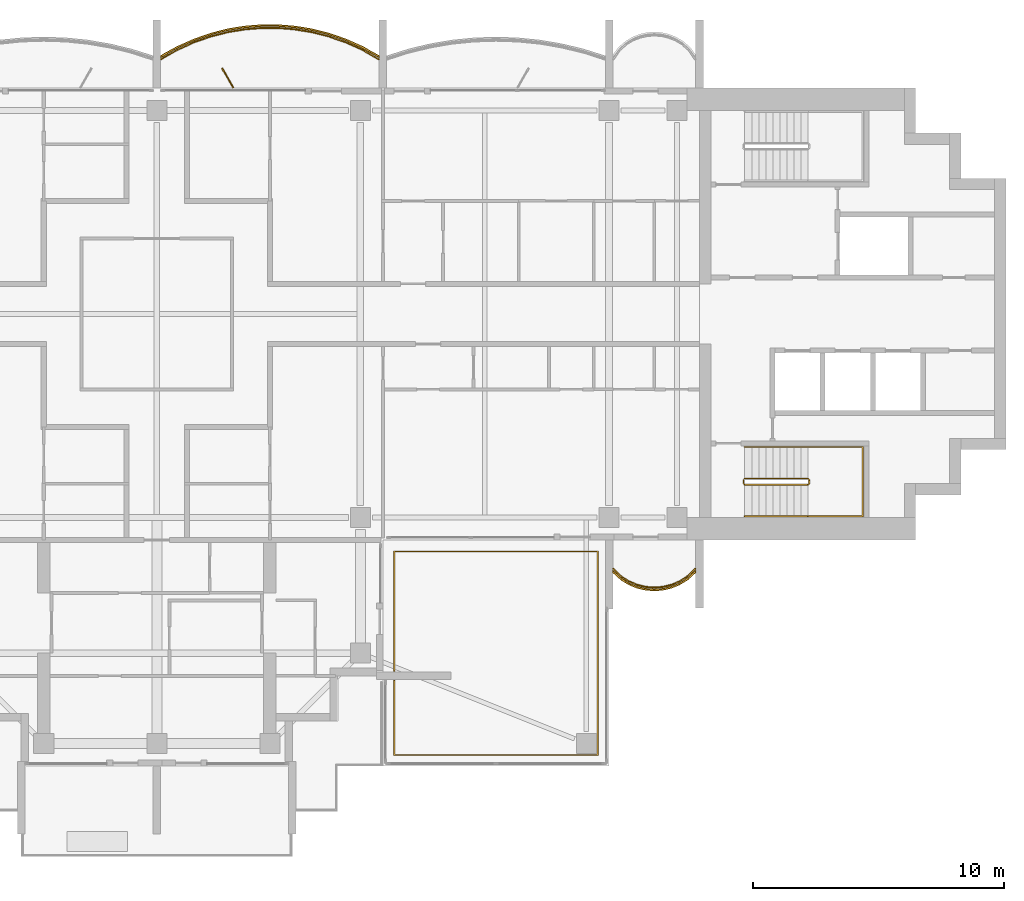
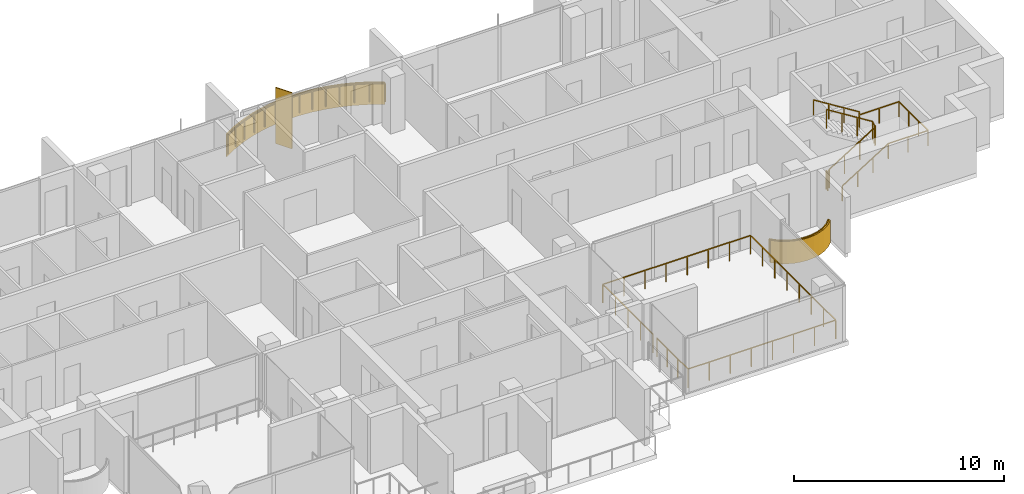
# One storey, part 15 of 16: 5 railings, 2 coverings, 1 shading device.
"""IFC4 building model written with IfcOpenShell, lengths in metres."""

import ifcopenshell
import ifcopenshell.guid

model = None  # the IFC model being written
_history = None  # IfcOwnerHistory: only IFC2X3 demands one
_inside = {}  # id of a spatial element -> (the spatial element, [elements in it])
_under = {}  # id of a project, library or spatial element -> (it, [spatial elements below it])
_declared = {}  # id of a project -> (the project, [libraries it declares])
_typed = {}  # id of a type object -> (the type object, [elements of that type])
_made_of = {}  # id of a material, layer set ... -> (it, [elements and type objects made of it])


def new_model(schema):
    """Start an empty IFC model of exactly this schema.

    Asked for "IFC4X3", IfcOpenShell would pick the latest addendum, in which some entities
    have other attributes; the version numbers below select the first issue.
    IFC2X3 requires an IfcOwnerHistory on every rooted entity: one is made here for all.
    """
    global model, _history
    if schema == "IFC4X3":
        model = ifcopenshell.file(schema_version=(4, 3, 0, 0))
    else:
        model = ifcopenshell.file(schema=schema)
    _inside.clear()
    _under.clear()
    _declared.clear()
    _typed.clear()
    _made_of.clear()
    _history = None
    if model.schema == "IFC2X3":
        org = make("IfcOrganization", Name="unknown")
        user = make(
            "IfcPersonAndOrganization",
            ThePerson=make("IfcPerson", FamilyName="unknown"),
            TheOrganization=org,
        )
        app = make(
            "IfcApplication",
            ApplicationDeveloper=org,
            Version="unknown",
            ApplicationFullName="unknown",
            ApplicationIdentifier="unknown",
        )
        _history = make(
            "IfcOwnerHistory",
            OwningUser=user,
            OwningApplication=app,
            ChangeAction="ADDED",
            CreationDate=0,
        )
    return model


def make(cls, **values):
    """One entity of the class cls with the attributes given. An attribute that is None is left unset."""
    return model.create_entity(
        cls, **{name: value for name, value in values.items() if value is not None}
    )


def rooted(cls, **values):
    """An entity with a GlobalId (a new one), such as an element, a storey or a relation."""
    return make(cls, GlobalId=ifcopenshell.guid.new(), OwnerHistory=_history, **values)


def si_unit(unit_type, name, prefix=None):
    """IfcSIUnit, for example si_unit("LENGTHUNIT", "METRE", prefix="MILLI")."""
    return make("IfcSIUnit", UnitType=unit_type, Prefix=prefix, Name=name)


def assignment(units):
    """IfcUnitAssignment: the units of a project."""
    return None if units is None else make("IfcUnitAssignment", Units=units)


def point(xyz):
    """IfcCartesianPoint."""
    return None if xyz is None else make("IfcCartesianPoint", Coordinates=xyz)


def direction(xyz):
    """IfcDirection."""
    return None if xyz is None else make("IfcDirection", DirectionRatios=xyz)


def frame(location, z_axis=None, x_axis=None):
    """IfcAxis2Placement3D, a coordinate frame: its origin and axes. An axis left out is left unset."""
    return make(
        "IfcAxis2Placement3D",
        Location=point(location),
        Axis=direction(z_axis),
        RefDirection=direction(x_axis),
    )


def frame_2d(location, x_axis=None):
    """IfcAxis2Placement2D, a coordinate frame in the plane: its origin and x axis."""
    return make(
        "IfcAxis2Placement2D", Location=point(location), RefDirection=direction(x_axis)
    )


def origin():
    """The frame at (0, 0, 0) with its axes left unset."""
    return frame((0.0, 0.0, 0.0))


def origin_2d():
    """The frame at (0, 0) in the plane with its x axis left unset."""
    return frame_2d((0.0, 0.0))


def place(relative_to, where):
    """IfcLocalPlacement: puts the frame where relative to a parent placement (None: the world)."""
    return make(
        "IfcLocalPlacement", PlacementRelTo=relative_to, RelativePlacement=where
    )


def context(
    kind, dimensions, precision=None, world=None, true_north=None, identifier=None
):
    """IfcGeometricRepresentationContext, for example the 3D "Model" context."""
    return make(
        "IfcGeometricRepresentationContext",
        ContextIdentifier=identifier,
        ContextType=kind,
        CoordinateSpaceDimension=dimensions,
        Precision=precision,
        WorldCoordinateSystem=world,
        TrueNorth=true_north,
    )


def subcontext(parent, identifier, kind, view, scale=None):
    """IfcGeometricRepresentationSubContext, for example "Body" below "Model"."""
    return make(
        "IfcGeometricRepresentationSubContext",
        ContextIdentifier=identifier,
        ContextType=kind,
        ParentContext=parent,
        TargetScale=scale,
        TargetView=view,
    )


def project(units=None, contexts=None):
    """IfcProject with its units and contexts."""
    return rooted(
        "IfcProject",
        Name="project",
        RepresentationContexts=contexts,
        UnitsInContext=assignment(units),
    )


def spatial(cls, under=None, at=None, **own):
    """A site, building, storey or space (cls), placed at a placement, below another one or the project."""
    s = rooted(cls, ObjectPlacement=at, **own)
    if under is not None:
        _under.setdefault(under.id(), (under, []))[1].append(s)
    return s


def polyline(points):
    """IfcPolyline through the points."""
    return make("IfcPolyline", Points=[point(p) for p in points])


def profile(cls, at=None, kind="AREA", **sizes):
    """A parametric profile (cls). Its sizes go by their IFC names, for example OverallWidth=200.0."""
    return make(cls, ProfileType=kind, Position=at, **sizes)


def rectangle(**sizes):
    """IfcRectangleProfileDef."""
    return profile("IfcRectangleProfileDef", **sizes)


def outline(outer, holes=None, kind="AREA"):
    """IfcArbitraryClosedProfileDef: a profile drawn as a closed curve; with holes, ...WithVoids."""
    if holes is None:
        return make("IfcArbitraryClosedProfileDef", ProfileType=kind, OuterCurve=outer)
    return make(
        "IfcArbitraryProfileDefWithVoids",
        ProfileType=kind,
        OuterCurve=outer,
        InnerCurves=holes,
    )


def extrude(swept, where, along, depth):
    """IfcExtrudedAreaSolid: the profile swept, set in the frame where, extruded along a direction by depth."""
    return make(
        "IfcExtrudedAreaSolid",
        SweptArea=swept,
        Position=where,
        ExtrudedDirection=direction(along),
        Depth=depth,
    )


def shape(context_of_items, identifier, shape_type, items):
    """IfcShapeRepresentation: the items that make up one representation, for example the "Body"."""
    return make(
        "IfcShapeRepresentation",
        ContextOfItems=context_of_items,
        RepresentationIdentifier=identifier,
        RepresentationType=shape_type,
        Items=items,
    )


def material(Name=None, Category=None):
    """IfcMaterial."""
    return make("IfcMaterial", Name=Name, Category=Category)


def layer(
    of_material, thickness, ventilated=None, Name=None, Category=None, Priority=None
):
    """IfcMaterialLayer: one layer of a wall or slab, of a material (None: an air gap)."""
    return make(
        "IfcMaterialLayer",
        Material=of_material,
        LayerThickness=thickness,
        IsVentilated=ventilated,
        Name=Name,
        Category=Category,
        Priority=Priority,
    )


def layer_set(layers, Name=None):
    """IfcMaterialLayerSet."""
    return make("IfcMaterialLayerSet", MaterialLayers=layers, LayerSetName=Name)


def made_of(thing, what):
    """Note that an element or type object is made of a material, layer set ...; save() writes the relation."""
    if what is not None:
        _made_of.setdefault(what.id(), (what, []))[1].append(thing)
    return thing


def type_object(cls, material=None, **own):
    """A type object (cls), such as IfcWallType, which elements share."""
    return made_of(rooted(cls, **own), material)


def element(
    cls,
    number,
    at=None,
    inside=None,
    cuts=None,
    type_object=None,
    material=None,
    context=None,
    identifier="Body",
    shape_type=None,
    held_by="IfcProductDefinitionShape",
    body=None,
    shapes=None,
    **own,
):
    """One element of the class cls, such as IfcWall. Its Tag is "e" and its number.

    at: its placement. inside: the storey or other place that contains it. cuts: it is an
    opening in that element (IfcRelVoidsElement). A single representation is given by context,
    identifier, shape_type and body (its items); several are given by shapes. held_by: the class
    of the entity that holds the representations. save() writes the other relations.
    """
    e = rooted(cls, Tag="e%d" % number, ObjectPlacement=at, **own)
    if body is not None:
        shapes = [shape(context, identifier, shape_type, body)]
    if shapes is not None:
        e.Representation = make(held_by, Representations=shapes)
    if inside is not None:
        _inside.setdefault(inside.id(), (inside, []))[1].append(e)
    if cuts is not None:
        rooted(
            "IfcRelVoidsElement", RelatingBuildingElement=cuts, RelatedOpeningElement=e
        )
    if type_object is not None:
        _typed.setdefault(type_object.id(), (type_object, []))[1].append(e)
    return made_of(e, material)


def aggregate(whole, parts):
    """IfcRelAggregates: a whole, such as a stair, and the parts it consists of."""
    return rooted("IfcRelAggregates", RelatingObject=whole, RelatedObjects=parts)


def save(model, path):
    """Write the relations noted so far, then the file.

    IfcRelAggregates (storeys below a building ...), IfcRelContainedInSpatialStructure (elements
    in a storey), IfcRelDefinesByType, IfcRelAssociatesMaterial and IfcRelDeclares: one each for
    every whole, place, type object, material and project.
    """
    for whole, parts in _under.values():
        aggregate(whole, parts)
    for where, things in _inside.values():
        rooted(
            "IfcRelContainedInSpatialStructure",
            RelatedElements=things,
            RelatingStructure=where,
        )
    for kind, things in _typed.values():
        rooted("IfcRelDefinesByType", RelatedObjects=things, RelatingType=kind)
    for what, things in _made_of.values():
        rooted("IfcRelAssociatesMaterial", RelatedObjects=things, RelatingMaterial=what)
    for by, libraries in _declared.values():
        rooted("IfcRelDeclares", RelatingContext=by, RelatedDefinitions=libraries)
    model.write(path)


model = new_model("IFC4")

# Units and contexts
model_context = context("Model", 3, precision=1e-05, world=origin(), true_north=direction((0.0, 1.0)))
body_context = subcontext(model_context, "Body", "Model", "MODEL_VIEW")
ifc_project = project(units=[si_unit("LENGTHUNIT", "METRE"), si_unit("AREAUNIT", "SQUARE_METRE"), si_unit("VOLUMEUNIT", "CUBIC_METRE"), si_unit("PLANEANGLEUNIT", "RADIAN"), si_unit("MASSUNIT", "GRAM", prefix="KILO")], contexts=[model_context])

# Site, building, storey
site_placement = place(None, origin())
site = spatial("IfcSite", under=ifc_project, at=site_placement, CompositionType="ELEMENT")
building_placement = place(site_placement, origin())
building = spatial("IfcBuilding", under=site, at=building_placement, Name="Perihelion Cross Residences", CompositionType="ELEMENT")
storey_placement = place(building_placement, frame((0.0, 0.0, 232.5)))
storey = spatial("IfcBuildingStorey", under=building, at=storey_placement, Name="L58", CompositionType="ELEMENT", Elevation=232.5)

# Coverings
ifc_material_1 = material(Name="Bronze anodised aluminium", Category="aluminium")
ifc_layer_1 = layer(ifc_material_1, 0.070068359375)
ifc_layer_set_1 = layer_set([ifc_layer_1], Name="Balcony fascia 1300")
covering_type = type_object("IfcCoveringType", Name="Balcony fascia 1300", PredefinedType="CLADDING", material=ifc_layer_set_1)
covering_1_placement = place(storey_placement, frame((0.0, 0.0, -0.199951171875)))
element("IfcCovering", 1, at=covering_1_placement, inside=storey, type_object=covering_type, Name="Fascia BF1 L58 north side east bay 1", PredefinedType="CLADDING", context=body_context, shape_type="SweptSolid", body=[
    extrude(outline(polyline([(8.212158203125, 10.63916015625), (7.537353515625, 10.941650390625), (6.8623046875, 11.175048828125), (6.1875, 11.345947265625), (5.512451171875, 11.457763671875), (4.83740234375, 11.51318359375), (4.16259765625, 11.51318359375), (3.487548828125, 11.457763671875), (2.8125, 11.345947265625), (2.1376953125, 11.175048828125), (1.462646484375, 10.941650390625), (0.787841796875, 10.63916015625), (0.14990234375, 10.2802734375), (0.14990234375, 10.199951171875), (0.8193359375, 10.57666015625), (1.488525390625, 10.87646484375), (2.15771484375, 11.108154296875), (2.826904296875, 11.27734375), (3.49609375, 11.38818359375), (4.165283203125, 11.443115234375), (4.834716796875, 11.443115234375), (5.50390625, 11.38818359375), (6.173095703125, 11.27734375), (6.84228515625, 11.108154296875), (7.511474609375, 10.87646484375), (8.1806640625, 10.57666015625), (8.85009765625, 10.199951171875), (8.85009765625, 10.2802734375), (8.212158203125, 10.63916015625)])), origin(), (0.0, 0.0, 1.0), 1.300048828125),
])
covering_2_placement = place(storey_placement, frame((0.0, 0.0, -0.199951171875)))
element("IfcCovering", 2, at=covering_2_placement, inside=storey, type_object=covering_type, Name="Fascia BF1 L58 east side south bay 2", PredefinedType="CLADDING", context=body_context, shape_type="SweptSolid", body=[
    extrude(outline(polyline([(18.4375, -10.56298828125), (18.778076171875, -10.77587890625), (19.11865234375, -10.914794921875), (19.45947265625, -10.994140625), (19.800048828125, -11.02001953125), (20.140625, -10.994140625), (20.481201171875, -10.914794921875), (20.82177734375, -10.77587890625), (21.16259765625, -10.56298828125), (21.449951171875, -10.295654296875), (21.449951171875, -10.199951171875), (21.1201171875, -10.507568359375), (20.7900390625, -10.71337890625), (20.4599609375, -10.84814453125), (20.1298828125, -10.925048828125), (19.800048828125, -10.949951171875), (19.469970703125, -10.925048828125), (19.139892578125, -10.84814453125), (18.81005859375, -10.71337890625), (18.47998046875, -10.507568359375), (18.14990234375, -10.199951171875), (18.14990234375, -10.295654296875), (18.4375, -10.56298828125)])), origin(), (0.0, 0.0, 1.0), 1.300048828125),
])

# Railings
ifc_material_2 = material(Name="Bronze anodised aluminium", Category="aluminium")
railing_type_1 = type_object("IfcRailingType", Name="Balcony guard 1100", PredefinedType="GUARDRAIL", material=ifc_material_2)
railing_1_placement = place(storey_placement, frame((8.824951171875, 10.139892578125, 0.0)))
element("IfcRailing", 3, at=railing_1_placement, inside=storey, type_object=railing_type_1, Name="Guard GU1 L58 north side east bay 1 balcony", PredefinedType="GUARDRAIL", context=body_context, shape_type="SweptSolid", body=[
    extrude(rectangle(XDim=0.048095703125, YDim=0.048095703125, at=origin_2d()), frame((0.0, 0.0, 1.076171875), z_axis=(-0.863125740505, 0.504989065305, 0.0), x_axis=(-0.504989065305, -0.863125740505, 0.0)), (0.0, 0.0, 1.0), 0.746337890625),
    extrude(rectangle(XDim=0.048095703125, YDim=0.048095703125, at=origin_2d()), frame((-0.644287109375, 0.376953125, 1.076171875), z_axis=(-0.912723499295, 0.408577794103, 0.0), x_axis=(-0.408577794103, -0.912723499295, 0.0)), (0.0, 0.0, 1.0), 0.733154296875),
    extrude(rectangle(XDim=0.048095703125, YDim=0.048095703125, at=origin_2d()), frame((-1.3134765625, 0.676513671875, 1.076171875), z_axis=(-0.944965577734, 0.327169767701, 0.0), x_axis=(-0.327169767701, -0.944965577734, 0.0)), (0.0, 0.0, 1.0), 0.708251953125),
    extrude(rectangle(XDim=0.048095703125, YDim=0.048095703125, at=origin_2d()), frame((-1.982666015625, 0.908203125, 1.076171875), z_axis=(-0.96949408574, 0.245114703181, 0.0), x_axis=(-0.245114703181, -0.96949408574, 0.0)), (0.0, 0.0, 1.0), 0.690185546875),
    extrude(rectangle(XDim=0.048095703125, YDim=0.048095703125, at=origin_2d()), frame((-2.65185546875, 1.077392578125, 1.076171875), z_axis=(-0.986500713816, 0.163756959061, 0.0), x_axis=(-0.163756959061, -0.986500713816, 0.0)), (0.0, 0.0, 1.0), 0.678466796875),
    extrude(rectangle(XDim=0.048095703125, YDim=0.048095703125, at=origin_2d()), frame((-3.321044921875, 1.1884765625, 1.076171875), z_axis=(-0.996677390684, 0.081450468994, 0.0), x_axis=(-0.081450468994, -0.996677390684, 0.0)), (0.0, 0.0, 1.0), 0.67138671875),
    extrude(rectangle(XDim=0.048095703125, YDim=0.048095703125, at=origin_2d()), frame((-3.990234375, 1.2431640625, 1.076171875), z_axis=(-1.0, 0.0, 0.0), x_axis=(0.0, -1.0, 0.0)), (0.0, 0.0, 1.0), 0.66943359375),
    extrude(rectangle(XDim=0.048095703125, YDim=0.048095703125, at=origin_2d()), frame((-4.65966796875, 1.2431640625, 1.076171875), z_axis=(-0.996677390684, -0.081450468994, 0.0), x_axis=(0.081450468994, -0.996677390684, 0.0)), (0.0, 0.0, 1.0), 0.67138671875),
    extrude(rectangle(XDim=0.048095703125, YDim=0.048095703125, at=origin_2d()), frame((-5.328857421875, 1.1884765625, 1.076171875), z_axis=(-0.986500713816, -0.163756959061, 0.0), x_axis=(0.163756959061, -0.986500713816, 0.0)), (0.0, 0.0, 1.0), 0.678466796875),
    extrude(rectangle(XDim=0.048095703125, YDim=0.048095703125, at=origin_2d()), frame((-5.998046875, 1.077392578125, 1.076171875), z_axis=(-0.96949408574, -0.245114703181, 0.0), x_axis=(0.245114703181, -0.96949408574, 0.0)), (0.0, 0.0, 1.0), 0.690185546875),
    extrude(rectangle(XDim=0.048095703125, YDim=0.048095703125, at=origin_2d()), frame((-6.667236328125, 0.908203125, 1.076171875), z_axis=(-0.944965577734, -0.327169767701, 0.0), x_axis=(0.327169767701, -0.944965577734, 0.0)), (0.0, 0.0, 1.0), 0.708251953125),
    extrude(rectangle(XDim=0.048095703125, YDim=0.048095703125, at=origin_2d()), frame((-7.33642578125, 0.676513671875, 1.076171875), z_axis=(-0.912723499295, -0.408577794103, 0.0), x_axis=(0.408577794103, -0.912723499295, 0.0)), (0.0, 0.0, 1.0), 0.733154296875),
    extrude(rectangle(XDim=0.048095703125, YDim=0.048095703125, at=origin_2d()), frame((-8.005615234375, 0.376953125, 1.076171875), z_axis=(-0.863125740505, -0.504989065305, 0.0), x_axis=(0.504989065305, -0.863125740505, 0.0)), (0.0, 0.0, 1.0), 0.746337890625),
    extrude(rectangle(XDim=0.0419921875, YDim=0.0419921875, at=origin_2d()), origin(), (0.0, 0.0, 1.0), 1.052001953125),
    extrude(rectangle(XDim=0.0419921875, YDim=0.0419921875, at=origin_2d()), frame((-0.644287109375, 0.376953125, 0.0)), (0.0, 0.0, 1.0), 1.052001953125),
    extrude(rectangle(XDim=0.0419921875, YDim=0.0419921875, at=origin_2d()), frame((-1.3134765625, 0.676513671875, 0.0)), (0.0, 0.0, 1.0), 1.052001953125),
    extrude(rectangle(XDim=0.0419921875, YDim=0.0419921875, at=origin_2d()), frame((-1.982666015625, 0.908203125, 0.0)), (0.0, 0.0, 1.0), 1.052001953125),
    extrude(rectangle(XDim=0.0419921875, YDim=0.0419921875, at=origin_2d()), frame((-2.65185546875, 1.077392578125, 0.0)), (0.0, 0.0, 1.0), 1.052001953125),
    extrude(rectangle(XDim=0.0419921875, YDim=0.0419921875, at=origin_2d()), frame((-3.321044921875, 1.1884765625, 0.0)), (0.0, 0.0, 1.0), 1.052001953125),
    extrude(rectangle(XDim=0.0419921875, YDim=0.0419921875, at=origin_2d()), frame((-3.990234375, 1.2431640625, 0.0)), (0.0, 0.0, 1.0), 1.052001953125),
    extrude(rectangle(XDim=0.0419921875, YDim=0.0419921875, at=origin_2d()), frame((-4.65966796875, 1.2431640625, 0.0)), (0.0, 0.0, 1.0), 1.052001953125),
    extrude(rectangle(XDim=0.0419921875, YDim=0.0419921875, at=origin_2d()), frame((-5.328857421875, 1.1884765625, 0.0)), (0.0, 0.0, 1.0), 1.052001953125),
    extrude(rectangle(XDim=0.0419921875, YDim=0.0419921875, at=origin_2d()), frame((-5.998046875, 1.077392578125, 0.0)), (0.0, 0.0, 1.0), 1.052001953125),
    extrude(rectangle(XDim=0.0419921875, YDim=0.0419921875, at=origin_2d()), frame((-6.667236328125, 0.908203125, 0.0)), (0.0, 0.0, 1.0), 1.052001953125),
    extrude(rectangle(XDim=0.0419921875, YDim=0.0419921875, at=origin_2d()), frame((-7.33642578125, 0.676513671875, 0.0)), (0.0, 0.0, 1.0), 1.052001953125),
    extrude(rectangle(XDim=0.0419921875, YDim=0.0419921875, at=origin_2d()), frame((-8.005615234375, 0.376953125, 0.0)), (0.0, 0.0, 1.0), 1.052001953125),
    extrude(rectangle(XDim=0.0419921875, YDim=0.0419921875, at=origin_2d()), frame((-8.64990234375, 0.0, 0.0)), (0.0, 0.0, 1.0), 1.052001953125),
])
railing_2_placement = place(storey_placement, frame((18.175048828125, -10.139892578125, 0.0)))
element("IfcRailing", 4, at=railing_2_placement, inside=storey, type_object=railing_type_1, Name="Guard GU1 L58 east side south bay 2 balcony", PredefinedType="GUARDRAIL", context=body_context, shape_type="SweptSolid", body=[
    extrude(rectangle(XDim=0.048095703125, YDim=0.048095703125, at=origin_2d()), frame((0.0, 0.0, 1.076171875), z_axis=(0.703999905859, -0.710200065158, 0.0), x_axis=(0.710200065158, 0.703999905859, 0.0)), (0.0, 0.0, 1.0), 0.43310546875),
    extrude(rectangle(XDim=0.048095703125, YDim=0.048095703125, at=origin_2d()), frame((0.304931640625, -0.3076171875, 1.076171875), z_axis=(0.848280173265, -0.529547682127, 0.0), x_axis=(0.529547682127, 0.848280173265, 0.0)), (0.0, 0.0, 1.0), 0.38916015625),
    extrude(rectangle(XDim=0.048095703125, YDim=0.048095703125, at=origin_2d()), frame((0.635009765625, -0.513671875, 1.076171875), z_axis=(0.925950379976, -0.377645195682, 0.0), x_axis=(0.377645195682, 0.925950379976, 0.0)), (0.0, 0.0, 1.0), 0.356201171875),
    extrude(rectangle(XDim=0.048095703125, YDim=0.048095703125, at=origin_2d()), frame((0.96484375, -0.648193359375, 1.076171875), z_axis=(0.97391554583, -0.226910796551, 0.0), x_axis=(0.226910796551, 0.97391554583, 0.0)), (0.0, 0.0, 1.0), 0.3388671875),
    extrude(rectangle(XDim=0.048095703125, YDim=0.048095703125, at=origin_2d()), frame((1.294921875, -0.72509765625, 1.076171875), z_axis=(0.997166208737, -0.075229995038, 0.0), x_axis=(0.075229995038, 0.997166208737, 0.0)), (0.0, 0.0, 1.0), 0.3310546875),
    extrude(rectangle(XDim=0.048095703125, YDim=0.048095703125, at=origin_2d()), frame((1.625, -0.75, 1.076171875), z_axis=(0.997162029931, 0.075285364214, 0.0), x_axis=(-0.075285364214, 0.997162029931, 0.0)), (0.0, 0.0, 1.0), 0.330810546875),
    extrude(rectangle(XDim=0.048095703125, YDim=0.048095703125, at=origin_2d()), frame((1.954833984375, -0.72509765625, 1.076171875), z_axis=(0.97391554583, 0.226910796551, 0.0), x_axis=(-0.226910796551, 0.97391554583, 0.0)), (0.0, 0.0, 1.0), 0.3388671875),
    extrude(rectangle(XDim=0.048095703125, YDim=0.048095703125, at=origin_2d()), frame((2.284912109375, -0.648193359375, 1.076171875), z_axis=(0.926048033295, 0.377405670374, 0.0), x_axis=(-0.377405670374, 0.926048033295, 0.0)), (0.0, 0.0, 1.0), 0.3564453125),
    extrude(rectangle(XDim=0.048095703125, YDim=0.048095703125, at=origin_2d()), frame((2.614990234375, -0.513671875, 1.076171875), z_axis=(0.848280173265, 0.529547682127, 0.0), x_axis=(-0.529547682127, 0.848280173265, 0.0)), (0.0, 0.0, 1.0), 0.38916015625),
    extrude(rectangle(XDim=0.048095703125, YDim=0.048095703125, at=origin_2d()), frame((2.945068359375, -0.3076171875, 1.076171875), z_axis=(0.703999905859, 0.710200065158, 0.0), x_axis=(-0.710200065158, 0.703999905859, 0.0)), (0.0, 0.0, 1.0), 0.43310546875),
    extrude(rectangle(XDim=0.0419921875, YDim=0.0419921875, at=origin_2d()), origin(), (0.0, 0.0, 1.0), 1.052001953125),
    extrude(rectangle(XDim=0.0419921875, YDim=0.0419921875, at=origin_2d()), frame((0.304931640625, -0.3076171875, 0.0)), (0.0, 0.0, 1.0), 1.052001953125),
    extrude(rectangle(XDim=0.0419921875, YDim=0.0419921875, at=origin_2d()), frame((0.635009765625, -0.513671875, 0.0)), (0.0, 0.0, 1.0), 1.052001953125),
    extrude(rectangle(XDim=0.0419921875, YDim=0.0419921875, at=origin_2d()), frame((0.96484375, -0.648193359375, 0.0)), (0.0, 0.0, 1.0), 1.052001953125),
    extrude(rectangle(XDim=0.0419921875, YDim=0.0419921875, at=origin_2d()), frame((1.294921875, -0.72509765625, 0.0)), (0.0, 0.0, 1.0), 1.052001953125),
    extrude(rectangle(XDim=0.0419921875, YDim=0.0419921875, at=origin_2d()), frame((1.625, -0.75, 0.0)), (0.0, 0.0, 1.0), 1.052001953125),
    extrude(rectangle(XDim=0.0419921875, YDim=0.0419921875, at=origin_2d()), frame((1.954833984375, -0.72509765625, 0.0)), (0.0, 0.0, 1.0), 1.052001953125),
    extrude(rectangle(XDim=0.0419921875, YDim=0.0419921875, at=origin_2d()), frame((2.284912109375, -0.648193359375, 0.0)), (0.0, 0.0, 1.0), 1.052001953125),
    extrude(rectangle(XDim=0.0419921875, YDim=0.0419921875, at=origin_2d()), frame((2.614990234375, -0.513671875, 0.0)), (0.0, 0.0, 1.0), 1.052001953125),
    extrude(rectangle(XDim=0.0419921875, YDim=0.0419921875, at=origin_2d()), frame((2.945068359375, -0.3076171875, 0.0)), (0.0, 0.0, 1.0), 1.052001953125),
    extrude(rectangle(XDim=0.0419921875, YDim=0.0419921875, at=origin_2d()), frame((3.25, 0.0, 0.0)), (0.0, 0.0, 1.0), 1.052001953125),
])
railing_3_placement = place(storey_placement, frame((9.449951171875, -14.2099609375, 0.0)))
element("IfcRailing", 5, at=railing_3_placement, inside=storey, type_object=railing_type_1, Name="Guard GU1 L58 pocket south-east 1", PredefinedType="GUARDRAIL", context=body_context, shape_type="SweptSolid", body=[
    extrude(rectangle(XDim=0.048095703125, YDim=0.048095703125, at=origin_2d()), frame((0.0, 0.0, 1.076171875), z_axis=(0.0, 1.0, 0.0), x_axis=(-1.0, 0.0, 0.0)), (0.0, 0.0, 1.0), 4.760009765625),
    extrude(rectangle(XDim=0.048095703125, YDim=0.048095703125, at=origin_2d()), frame((0.0, 4.760009765625, 1.076171875), z_axis=(1.0, 0.0, 0.0), x_axis=(0.0, 1.0, 0.0)), (0.0, 0.0, 1.0), 8.10009765625),
    extrude(rectangle(XDim=0.048095703125, YDim=0.048095703125, at=origin_2d()), frame((8.10009765625, 4.760009765625, 1.076171875), z_axis=(0.0, -1.0, 0.0), x_axis=(1.0, 0.0, 0.0)), (0.0, 0.0, 1.0), 8.10009765625),
    extrude(rectangle(XDim=0.048095703125, YDim=0.048095703125, at=origin_2d()), frame((8.10009765625, -3.340087890625, 1.076171875), z_axis=(-1.0, 0.0, 0.0), x_axis=(0.0, -1.0, 0.0)), (0.0, 0.0, 1.0), 8.10009765625),
    extrude(rectangle(XDim=0.048095703125, YDim=0.048095703125, at=origin_2d()), frame((0.0, -3.340087890625, 1.076171875), z_axis=(0.0, 1.0, 0.0), x_axis=(-1.0, 0.0, 0.0)), (0.0, 0.0, 1.0), 2.9599609375),
    extrude(rectangle(XDim=0.0419921875, YDim=0.0419921875, at=origin_2d()), origin(), (0.0, 0.0, 1.0), 1.052001953125),
    extrude(rectangle(XDim=0.0419921875, YDim=0.0419921875, at=origin_2d()), frame((0.0, 1.18994140625, 0.0)), (0.0, 0.0, 1.0), 1.052001953125),
    extrude(rectangle(XDim=0.0419921875, YDim=0.0419921875, at=origin_2d()), frame((0.0, 2.3798828125, 0.0)), (0.0, 0.0, 1.0), 1.052001953125),
    extrude(rectangle(XDim=0.0419921875, YDim=0.0419921875, at=origin_2d()), frame((0.0, 3.570068359375, 0.0)), (0.0, 0.0, 1.0), 1.052001953125),
    extrude(rectangle(XDim=0.0419921875, YDim=0.0419921875, at=origin_2d()), frame((0.0, 4.760009765625, 0.0)), (0.0, 0.0, 1.0), 1.052001953125),
    extrude(rectangle(XDim=0.0419921875, YDim=0.0419921875, at=origin_2d()), frame((1.1572265625, 4.760009765625, 0.0)), (0.0, 0.0, 1.0), 1.052001953125),
    extrude(rectangle(XDim=0.0419921875, YDim=0.0419921875, at=origin_2d()), frame((2.314208984375, 4.760009765625, 0.0)), (0.0, 0.0, 1.0), 1.052001953125),
    extrude(rectangle(XDim=0.0419921875, YDim=0.0419921875, at=origin_2d()), frame((3.471435546875, 4.760009765625, 0.0)), (0.0, 0.0, 1.0), 1.052001953125),
    extrude(rectangle(XDim=0.0419921875, YDim=0.0419921875, at=origin_2d()), frame((4.628662109375, 4.760009765625, 0.0)), (0.0, 0.0, 1.0), 1.052001953125),
    extrude(rectangle(XDim=0.0419921875, YDim=0.0419921875, at=origin_2d()), frame((5.785888671875, 4.760009765625, 0.0)), (0.0, 0.0, 1.0), 1.052001953125),
    extrude(rectangle(XDim=0.0419921875, YDim=0.0419921875, at=origin_2d()), frame((6.94287109375, 4.760009765625, 0.0)), (0.0, 0.0, 1.0), 1.052001953125),
    extrude(rectangle(XDim=0.0419921875, YDim=0.0419921875, at=origin_2d()), frame((8.10009765625, 4.760009765625, 0.0)), (0.0, 0.0, 1.0), 1.052001953125),
    extrude(rectangle(XDim=0.0419921875, YDim=0.0419921875, at=origin_2d()), frame((8.10009765625, 3.602783203125, 0.0)), (0.0, 0.0, 1.0), 1.052001953125),
    extrude(rectangle(XDim=0.0419921875, YDim=0.0419921875, at=origin_2d()), frame((8.10009765625, 2.44580078125, 0.0)), (0.0, 0.0, 1.0), 1.052001953125),
    extrude(rectangle(XDim=0.0419921875, YDim=0.0419921875, at=origin_2d()), frame((8.10009765625, 1.28857421875, 0.0)), (0.0, 0.0, 1.0), 1.052001953125),
    extrude(rectangle(XDim=0.0419921875, YDim=0.0419921875, at=origin_2d()), frame((8.10009765625, 0.13134765625, 0.0)), (0.0, 0.0, 1.0), 1.052001953125),
    extrude(rectangle(XDim=0.0419921875, YDim=0.0419921875, at=origin_2d()), frame((8.10009765625, -1.02587890625, 0.0)), (0.0, 0.0, 1.0), 1.052001953125),
    extrude(rectangle(XDim=0.0419921875, YDim=0.0419921875, at=origin_2d()), frame((8.10009765625, -2.182861328125, 0.0)), (0.0, 0.0, 1.0), 1.052001953125),
    extrude(rectangle(XDim=0.0419921875, YDim=0.0419921875, at=origin_2d()), frame((8.10009765625, -3.340087890625, 0.0)), (0.0, 0.0, 1.0), 1.052001953125),
    extrude(rectangle(XDim=0.0419921875, YDim=0.0419921875, at=origin_2d()), frame((6.94287109375, -3.340087890625, 0.0)), (0.0, 0.0, 1.0), 1.052001953125),
    extrude(rectangle(XDim=0.0419921875, YDim=0.0419921875, at=origin_2d()), frame((5.785888671875, -3.340087890625, 0.0)), (0.0, 0.0, 1.0), 1.052001953125),
    extrude(rectangle(XDim=0.0419921875, YDim=0.0419921875, at=origin_2d()), frame((4.628662109375, -3.340087890625, 0.0)), (0.0, 0.0, 1.0), 1.052001953125),
    extrude(rectangle(XDim=0.0419921875, YDim=0.0419921875, at=origin_2d()), frame((3.471435546875, -3.340087890625, 0.0)), (0.0, 0.0, 1.0), 1.052001953125),
    extrude(rectangle(XDim=0.0419921875, YDim=0.0419921875, at=origin_2d()), frame((2.314208984375, -3.340087890625, 0.0)), (0.0, 0.0, 1.0), 1.052001953125),
    extrude(rectangle(XDim=0.0419921875, YDim=0.0419921875, at=origin_2d()), frame((1.1572265625, -3.340087890625, 0.0)), (0.0, 0.0, 1.0), 1.052001953125),
    extrude(rectangle(XDim=0.0419921875, YDim=0.0419921875, at=origin_2d()), frame((0.0, -3.340087890625, 0.0)), (0.0, 0.0, 1.0), 1.052001953125),
    extrude(rectangle(XDim=0.0419921875, YDim=0.0419921875, at=origin_2d()), frame((0.0, -2.353515625, 0.0)), (0.0, 0.0, 1.0), 1.052001953125),
    extrude(rectangle(XDim=0.0419921875, YDim=0.0419921875, at=origin_2d()), frame((0.0, -1.36669921875, 0.0)), (0.0, 0.0, 1.0), 1.052001953125),
    extrude(rectangle(XDim=0.0419921875, YDim=0.0419921875, at=origin_2d()), frame((0.0, -0.380126953125, 0.0)), (0.0, 0.0, 1.0), 1.052001953125),
])

# Shading device
ifc_material_3 = material(Name="Bronze anodised aluminium", Category="aluminium")
ifc_layer_2 = layer(ifc_material_3, 0.050048828125)
ifc_layer_set_2 = layer_set([ifc_layer_2], Name="Bronze fin 900")
shading_device_type = type_object("IfcShadingDeviceType", Name="Bronze fin 900", PredefinedType="USERDEFINED", material=ifc_layer_set_2)
shading_device_placement = place(storey_placement, frame((2.824951171875, 9.3896484375, 0.0), z_axis=(0.0, 0.0, 1.0), x_axis=(-0.5, 0.866025403784, 0.0)))
element("IfcShadingDevice", 6, at=shading_device_placement, inside=storey, type_object=shading_device_type, Name="Fin FN1 L58 north side east bay 1", ObjectType="FIN", PredefinedType="USERDEFINED", context=body_context, shape_type="SweptSolid", body=[
    extrude(rectangle(XDim=0.89990234375, YDim=0.050048828125, at=origin_2d()), origin(), (0.0, 0.0, 1.0), 3.25),
])

# Railings
ifc_material_4 = material(Name="Stainless steel", Category="steel")
railing_type_2 = type_object("IfcRailingType", Name="Stair guard 1100", PredefinedType="GUARDRAIL", material=ifc_material_4)
railing_4_placement = place(storey_placement, frame((23.35009765625, -6.60009765625, 0.0)))
element("IfcRailing", 7, at=railing_4_placement, inside=storey, type_object=railing_type_2, Name="L58 ST-E2 stair guard 1", PredefinedType="GUARDRAIL", context=body_context, shape_type="SweptSolid", body=[
    extrude(rectangle(XDim=0.048095703125, YDim=0.048095703125, at=origin_2d()), frame((0.0, 0.0, 1.076171875), z_axis=(0.0, -1.0, 0.0), x_axis=(1.0, 0.0, 0.0)), (0.0, 0.0, 1.0), 0.14990234375),
    extrude(rectangle(XDim=0.048095703125, YDim=0.048095703125, at=origin_2d()), frame((0.0, -0.14990234375, 1.076171875), z_axis=(0.263862480399, -0.265155923931, 0.927399011991), x_axis=(0.708833529934, 0.705375805398, 0.0)), (0.0, 0.0, 1.0), 0.188720703125),
    extrude(rectangle(XDim=0.048095703125, YDim=0.048095703125, at=origin_2d()), frame((0.0498046875, -0.199951171875, 1.2509765625), z_axis=(0.848007534815, 0.0, 0.529984170421), x_axis=(0.0, 1.0, 0.0)), (0.0, 0.0, 1.0), 2.9716796875),
    extrude(rectangle(XDim=0.048095703125, YDim=0.048095703125, at=origin_2d()), frame((2.56982421875, -0.199951171875, 2.826171875), z_axis=(0.707106781187, 0.707106781187, 0.0), x_axis=(-0.707106781187, 0.707106781187, 0.0)), (0.0, 0.0, 1.0), 0.07080078125),
    extrude(rectangle(XDim=0.048095703125, YDim=0.048095703125, at=origin_2d()), frame((2.619873046875, -0.14990234375, 2.826171875), z_axis=(0.0, 1.0, 0.0), x_axis=(-1.0, 0.0, 0.0)), (0.0, 0.0, 1.0), 0.14990234375),
    extrude(rectangle(XDim=0.048095703125, YDim=0.048095703125, at=origin_2d()), frame((2.619873046875, 0.0, 2.826171875), z_axis=(-0.265065253269, 0.265065253269, 0.927081885822), x_axis=(-0.707106781187, -0.707106781187, 0.0)), (0.0, 0.0, 1.0), 0.188720703125),
    extrude(rectangle(XDim=0.048095703125, YDim=0.048095703125, at=origin_2d()), frame((2.56982421875, 0.050048828125, 3.0009765625), z_axis=(-0.848007534815, 0.0, 0.529984170421), x_axis=(0.0, -1.0, 0.0)), (0.0, 0.0, 1.0), 2.9716796875),
    extrude(rectangle(XDim=0.0419921875, YDim=0.0419921875, at=origin_2d()), origin(), (0.0, 0.0, 1.0), 1.052001953125),
    extrude(rectangle(XDim=0.0419921875, YDim=0.0419921875, at=origin_2d()), frame((0.0, -0.14990234375, 0.0)), (0.0, 0.0, 1.0), 1.052001953125),
    extrude(rectangle(XDim=0.0419921875, YDim=0.0419921875, at=origin_2d()), frame((0.0498046875, -0.199951171875, 0.175048828125)), (0.0, 0.0, 1.0), 1.052001953125),
    extrude(rectangle(XDim=0.0419921875, YDim=0.0419921875, at=origin_2d()), frame((0.889892578125, -0.199951171875, 0.699951171875)), (0.0, 0.0, 1.0), 1.052001953125),
    extrude(rectangle(XDim=0.0419921875, YDim=0.0419921875, at=origin_2d()), frame((1.729736328125, -0.199951171875, 1.22509765625)), (0.0, 0.0, 1.0), 1.052001953125),
    extrude(rectangle(XDim=0.0419921875, YDim=0.0419921875, at=origin_2d()), frame((2.56982421875, -0.199951171875, 1.75)), (0.0, 0.0, 1.0), 1.052001953125),
    extrude(rectangle(XDim=0.0419921875, YDim=0.0419921875, at=origin_2d()), frame((2.619873046875, -0.14990234375, 1.75)), (0.0, 0.0, 1.0), 1.052001953125),
    extrude(rectangle(XDim=0.0419921875, YDim=0.0419921875, at=origin_2d()), frame((2.619873046875, 0.0, 1.75)), (0.0, 0.0, 1.0), 1.052001953125),
    extrude(rectangle(XDim=0.0419921875, YDim=0.0419921875, at=origin_2d()), frame((2.56982421875, 0.050048828125, 1.925048828125)), (0.0, 0.0, 1.0), 1.052001953125),
    extrude(rectangle(XDim=0.0419921875, YDim=0.0419921875, at=origin_2d()), frame((1.729736328125, 0.050048828125, 2.449951171875)), (0.0, 0.0, 1.0), 1.052001953125),
    extrude(rectangle(XDim=0.0419921875, YDim=0.0419921875, at=origin_2d()), frame((0.889892578125, 0.050048828125, 2.97509765625)), (0.0, 0.0, 1.0), 1.052001953125),
    extrude(rectangle(XDim=0.0419921875, YDim=0.0419921875, at=origin_2d()), frame((0.0498046875, 0.050048828125, 3.5)), (0.0, 0.0, 1.0), 1.052001953125),
])
ifc_material_5 = material(Name="Stainless steel", Category="steel")
railing_type_3 = type_object("IfcRailingType", Name="Stair handrail 900", PredefinedType="HANDRAIL", material=ifc_material_5)
railing_5_placement = place(storey_placement, frame((23.39990234375, -8.050048828125, 0.175048828125)))
element("IfcRailing", 8, at=railing_5_placement, inside=storey, type_object=railing_type_3, Name="L58 ST-E2 stair handrail 1", PredefinedType="HANDRAIL", context=body_context, shape_type="SweptSolid", body=[
    extrude(rectangle(XDim=0.048095703125, YDim=0.048095703125, at=origin_2d()), frame((0.0, 0.0, 0.8759765625), z_axis=(0.848007534815, 0.0, 0.529984170421), x_axis=(0.0, 1.0, 0.0)), (0.0, 0.0, 1.0), 2.9716796875),
    extrude(rectangle(XDim=0.048095703125, YDim=0.048095703125, at=origin_2d()), frame((2.52001953125, 0.0, 2.45068359375), z_axis=(1.0, 0.0, 0.0), x_axis=(0.0, 1.0, 0.0)), (0.0, 0.0, 1.0), 2.18017578125),
    extrude(rectangle(XDim=0.048095703125, YDim=0.048095703125, at=origin_2d()), frame((4.7001953125, 0.0, 2.45068359375), z_axis=(0.0, 1.0, 0.0), x_axis=(-1.0, 0.0, 0.0)), (0.0, 0.0, 1.0), 2.75),
    extrude(rectangle(XDim=0.048095703125, YDim=0.048095703125, at=origin_2d()), frame((4.7001953125, 2.75, 2.45068359375), z_axis=(-1.0, 0.0, 0.0), x_axis=(0.0, -1.0, 0.0)), (0.0, 0.0, 1.0), 2.18017578125),
    extrude(rectangle(XDim=0.048095703125, YDim=0.048095703125, at=origin_2d()), frame((2.52001953125, 2.75, 2.45068359375), z_axis=(0.0, 0.0, 1.0), x_axis=(1.0, 0.0, 0.0)), (0.0, 0.0, 1.0), 0.175048828125),
    extrude(rectangle(XDim=0.048095703125, YDim=0.048095703125, at=origin_2d()), frame((2.52001953125, 2.75, 2.6259765625), z_axis=(-0.848007534815, 0.0, 0.529984170421), x_axis=(0.0, -1.0, 0.0)), (0.0, 0.0, 1.0), 2.9716796875),
    extrude(rectangle(XDim=0.0419921875, YDim=0.0419921875, at=origin_2d()), origin(), (0.0, 0.0, 1.0), 0.851806640625),
    extrude(rectangle(XDim=0.0419921875, YDim=0.0419921875, at=origin_2d()), frame((0.840087890625, 0.0, 0.52490234375)), (0.0, 0.0, 1.0), 0.851806640625),
    extrude(rectangle(XDim=0.0419921875, YDim=0.0419921875, at=origin_2d()), frame((1.679931640625, 0.0, 1.050048828125)), (0.0, 0.0, 1.0), 0.851806640625),
    extrude(rectangle(XDim=0.0419921875, YDim=0.0419921875, at=origin_2d()), frame((2.52001953125, 0.0, 1.574951171875)), (0.0, 0.0, 1.0), 0.851806640625),
    extrude(rectangle(XDim=0.0419921875, YDim=0.0419921875, at=origin_2d()), frame((3.610107421875, 0.0, 1.574951171875)), (0.0, 0.0, 1.0), 0.851806640625),
    extrude(rectangle(XDim=0.0419921875, YDim=0.0419921875, at=origin_2d()), frame((4.7001953125, 0.0, 1.574951171875)), (0.0, 0.0, 1.0), 0.851806640625),
    extrude(rectangle(XDim=0.0419921875, YDim=0.0419921875, at=origin_2d()), frame((4.7001953125, 0.916748046875, 1.574951171875)), (0.0, 0.0, 1.0), 0.851806640625),
    extrude(rectangle(XDim=0.0419921875, YDim=0.0419921875, at=origin_2d()), frame((4.7001953125, 1.833251953125, 1.574951171875)), (0.0, 0.0, 1.0), 0.851806640625),
    extrude(rectangle(XDim=0.0419921875, YDim=0.0419921875, at=origin_2d()), frame((4.7001953125, 2.75, 1.574951171875)), (0.0, 0.0, 1.0), 0.851806640625),
    extrude(rectangle(XDim=0.0419921875, YDim=0.0419921875, at=origin_2d()), frame((3.610107421875, 2.75, 1.574951171875)), (0.0, 0.0, 1.0), 0.851806640625),
    extrude(rectangle(XDim=0.0419921875, YDim=0.0419921875, at=origin_2d()), frame((2.52001953125, 2.75, 1.574951171875)), (0.0, 0.0, 1.0), 0.851806640625),
    extrude(rectangle(XDim=0.0419921875, YDim=0.0419921875, at=origin_2d()), frame((2.52001953125, 2.75, 1.75)), (0.0, 0.0, 1.0), 0.851806640625),
    extrude(rectangle(XDim=0.0419921875, YDim=0.0419921875, at=origin_2d()), frame((1.679931640625, 2.75, 2.27490234375)), (0.0, 0.0, 1.0), 0.851806640625),
    extrude(rectangle(XDim=0.0419921875, YDim=0.0419921875, at=origin_2d()), frame((0.840087890625, 2.75, 2.800048828125)), (0.0, 0.0, 1.0), 0.851806640625),
    extrude(rectangle(XDim=0.0419921875, YDim=0.0419921875, at=origin_2d()), frame((0.0, 2.75, 3.324951171875)), (0.0, 0.0, 1.0), 0.851806640625),
])

save(model, "model.ifc")
